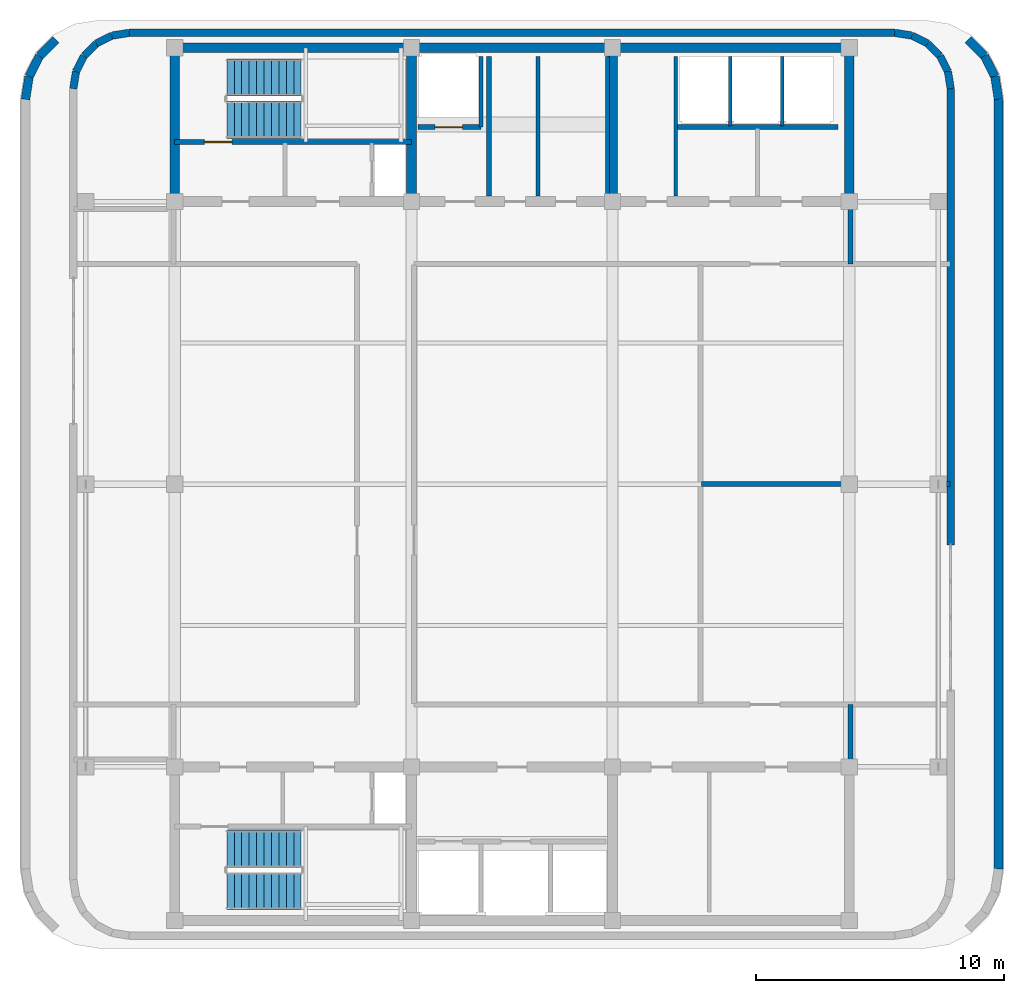
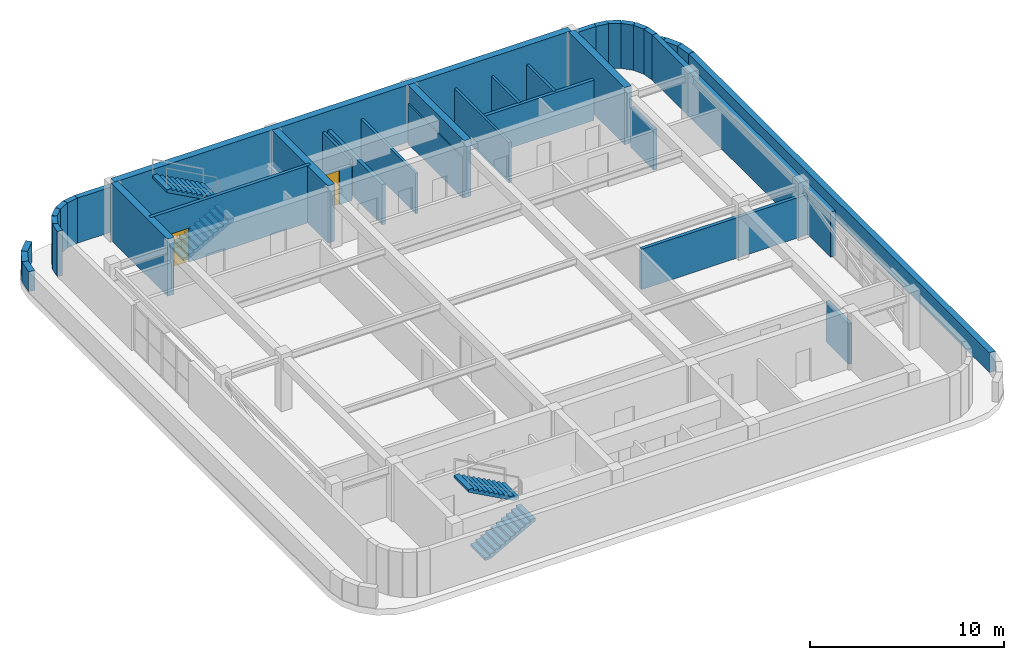
# One storey, part 6 of 9: 37 walls, 4 stair flights, 2 doors, 2 openings, 2 elements without a shape of their own.
"""IFC4 building model written with IfcOpenShell, lengths in metres."""

from ifc_helpers import new_model, si_unit, direction, frame, frame_2d, origin, place, context, subcontext, project, spatial, polyline, rectangle, outline, extrude, material, layer, layer_set, type_object, element, fill, aggregate, save


model = new_model("IFC4")

# Units and contexts
model_context = context("Model", 3, precision=1e-05, world=origin(), true_north=direction((0.0, 1.0)))
body_context = subcontext(model_context, "Body", "Model", "MODEL_VIEW")
ifc_project = project(units=[si_unit("LENGTHUNIT", "METRE"), si_unit("AREAUNIT", "SQUARE_METRE"), si_unit("VOLUMEUNIT", "CUBIC_METRE"), si_unit("PLANEANGLEUNIT", "RADIAN"), si_unit("MASSUNIT", "GRAM", prefix="KILO")], contexts=[model_context])

# Site, building, storey
site_placement = place(None, origin())
site = spatial("IfcSite", under=ifc_project, at=site_placement, CompositionType="ELEMENT")
building_placement = place(site_placement, origin())
building = spatial("IfcBuilding", under=site, at=building_placement, Name="Svetorya Sky Lyceum", CompositionType="ELEMENT")
storey_placement = place(building_placement, frame((0.0, 0.0, 302.0)))
storey = spatial("IfcBuildingStorey", under=building, at=storey_placement, Name="C01", CompositionType="ELEMENT", Elevation=302.0)

# Walls
ifc_material_1 = material(Name="Concrete C40/50", Category="concrete")
ifc_layer_1 = layer(ifc_material_1, 0.39990234375)
ifc_layer_set_1 = layer_set([ifc_layer_1], Name="Concrete C40/50")
wall_type_1 = type_object("IfcWallType", Name="WL-CORE-400", PredefinedType="SHEAR", material=ifc_layer_set_1)
wall_1_placement = place(storey_placement, frame((25.60009765625, 45.800048828125, 0.0), z_axis=(0.0, 0.0, 1.0), x_axis=(1.0, 0.0, 0.0)))
element("IfcWall", 1, at=wall_1_placement, inside=storey, type_object=wall_type_1, Name="C01 NC Outer Core Shear Wall", PredefinedType="SHEAR", context=body_context, shape_type="SweptSolid", body=[
    extrude(rectangle(XDim=27.199951171875, YDim=0.39990234375, at=frame_2d((13.60009765625, 0.0))), origin(), (0.0, 0.0, 1.0), 3.60009765625),
])
for number, where, z_axis, x_axis, name in (
    (2, (25.60009765625, 39.800048828125, 0.0), (0.0, 0.0, 1.0), (0.0, 1.0, 0.0), "C01 NC West Core Shear Wall"),
    (3, (52.800048828125, 39.800048828125, 0.0), (0.0, 0.0, 1.0), (0.0, 1.0, 0.0), "C01 NC East Core Shear Wall"),
    (4, (35.14990234375, 39.800048828125, 0.0), (0.0, 0.0, 1.0), (0.0, 1.0, 0.0), "C01 NC Internal Shear Web WEB1"),
    (5, (43.25, 39.800048828125, 0.0), (0.0, 0.0, 1.0), (0.0, 1.0, 0.0), "C01 NC Internal Shear Web WEB2"),
):
    element("IfcWall", number, at=place(storey_placement, frame(where, z_axis=z_axis, x_axis=x_axis)), inside=storey, type_object=wall_type_1, Name=name, PredefinedType="SHEAR", context=body_context, shape_type="SweptSolid", body=[
        extrude(rectangle(XDim=5.800048828125, YDim=0.39990234375, at=frame_2d((2.89990234375, 0.0))), origin(), (0.0, 0.0, 1.0), 3.60009765625),
    ])
ifc_material_2 = material(Name="Putilovo limestone rainscreen on autoclaved cellular masonry", Category="masonry")
ifc_layer_2 = layer(ifc_material_2, 0.300048828125)
ifc_layer_set_2 = layer_set([ifc_layer_2], Name="Putilovo limestone rainscreen on autoclaved cellular masonry")
wall_type_2 = type_object("IfcWallType", Name="WL-EXT-300", PredefinedType="SOLIDWALL", material=ifc_layer_set_2)
wall_2_placement = place(storey_placement, frame((56.889892578125, 25.75, 0.0), z_axis=(0.0, 0.0, 1.0), x_axis=(0.0, 1.0, 0.0)))
element("IfcWall", 6, at=wall_2_placement, inside=storey, type_object=wall_type_2, Name="C01 Limestone Exterior Wall 12B", PredefinedType="SOLIDWALL", context=body_context, shape_type="SweptSolid", body=[
    extrude(rectangle(XDim=18.39990234375, YDim=0.300048828125, at=frame_2d((9.199951171875, 0.0))), origin(), (0.0, 0.0, 1.0), 2.840087890625),
])
for number, where, z_axis, x_axis, name in (
    (7, (56.889892578125, 44.14990234375, 0.0), (0.0, 0.0, 1.0), (-0.156407776626, 0.987692567255, 0.0), "C01 Limestone Exterior Wall 13M"),
    (8, (56.77978515625, 44.84521484375, 0.0), (0.0, 0.0, 1.0), (-0.453998517824, 0.891002438725, 0.0), "C01 Limestone Exterior Wall 14M"),
):
    element("IfcWall", number, at=place(storey_placement, frame(where, z_axis=z_axis, x_axis=x_axis)), inside=storey, type_object=wall_type_2, Name=name, PredefinedType="SOLIDWALL", context=body_context, shape_type="SweptSolid", body=[
        extrude(rectangle(XDim=0.703857421875, YDim=0.300048828125, at=frame_2d((0.35205078125, 0.0))), origin(), (0.0, 0.0, 1.0), 2.840087890625),
    ])
wall_3_placement = place(storey_placement, frame((56.460205078125, 45.472412109375, 0.0), z_axis=(0.0, 0.0, 1.0), x_axis=(-0.707106781187, 0.707106781187, 0.0)))
element("IfcWall", 9, at=wall_3_placement, inside=storey, type_object=wall_type_2, Name="C01 Limestone Exterior Wall 15M", PredefinedType="SOLIDWALL", context=body_context, shape_type="SweptSolid", body=[
    extrude(rectangle(XDim=0.7041015625, YDim=0.300048828125, at=frame_2d((0.35205078125, 0.0))), origin(), (0.0, 0.0, 1.0), 2.840087890625),
])
for number, where, z_axis, x_axis, name in (
    (10, (55.96240234375, 45.97021484375, 0.0), (0.0, 0.0, 1.0), (-0.891002438725, 0.453998517824, 0.0), "C01 Limestone Exterior Wall 16M"),
    (11, (55.335205078125, 46.289794921875, 0.0), (0.0, 0.0, 1.0), (-0.987692567255, 0.156407776626, 0.0), "C01 Limestone Exterior Wall 17M"),
):
    element("IfcWall", number, at=place(storey_placement, frame(where, z_axis=z_axis, x_axis=x_axis)), inside=storey, type_object=wall_type_2, Name=name, PredefinedType="SOLIDWALL", context=body_context, shape_type="SweptSolid", body=[
        extrude(rectangle(XDim=0.703857421875, YDim=0.300048828125, at=frame_2d((0.35205078125, 0.0))), origin(), (0.0, 0.0, 1.0), 2.840087890625),
    ])
wall_4_placement = place(storey_placement, frame((54.639892578125, 46.39990234375, 0.0), z_axis=(0.0, 0.0, 1.0), x_axis=(-1.0, 0.0, 0.0)))
element("IfcWall", 12, at=wall_4_placement, inside=storey, type_object=wall_type_2, Name="C01 Limestone Exterior Wall 18M", PredefinedType="SOLIDWALL", context=body_context, shape_type="SweptSolid", body=[
    extrude(rectangle(XDim=30.8798828125, YDim=0.300048828125, at=frame_2d((15.43994140625, 0.0))), origin(), (0.0, 0.0, 1.0), 2.840087890625),
])
for number, where, z_axis, x_axis, name in (
    (13, (23.760009765625, 46.39990234375, 0.0), (0.0, 0.0, 1.0), (-0.987692567255, -0.156407776626, 0.0), "C01 Limestone Exterior Wall 19M"),
    (14, (23.064697265625, 46.289794921875, 0.0), (0.0, 0.0, 1.0), (-0.891002438725, -0.453998517824, 0.0), "C01 Limestone Exterior Wall 20M"),
):
    element("IfcWall", number, at=place(storey_placement, frame(where, z_axis=z_axis, x_axis=x_axis)), inside=storey, type_object=wall_type_2, Name=name, PredefinedType="SOLIDWALL", context=body_context, shape_type="SweptSolid", body=[
        extrude(rectangle(XDim=0.703857421875, YDim=0.300048828125, at=frame_2d((0.35205078125, 0.0))), origin(), (0.0, 0.0, 1.0), 2.840087890625),
    ])
wall_5_placement = place(storey_placement, frame((22.4375, 45.97021484375, 0.0), z_axis=(0.0, 0.0, 1.0), x_axis=(-0.707106781187, -0.707106781187, 0.0)))
element("IfcWall", 15, at=wall_5_placement, inside=storey, type_object=wall_type_2, Name="C01 Limestone Exterior Wall 21M", PredefinedType="SOLIDWALL", context=body_context, shape_type="SweptSolid", body=[
    extrude(rectangle(XDim=0.7041015625, YDim=0.300048828125, at=frame_2d((0.35205078125, 0.0))), origin(), (0.0, 0.0, 1.0), 2.840087890625),
])
for number, where, z_axis, x_axis, name in (
    (16, (21.939697265625, 45.472412109375, 0.0), (0.0, 0.0, 1.0), (-0.453998517824, -0.891002438725, 0.0), "C01 Limestone Exterior Wall 22M"),
    (17, (21.6201171875, 44.84521484375, 0.0), (0.0, 0.0, 1.0), (-0.156407776626, -0.987692567255, 0.0), "C01 Limestone Exterior Wall 23M"),
):
    element("IfcWall", number, at=place(storey_placement, frame(where, z_axis=z_axis, x_axis=x_axis)), inside=storey, type_object=wall_type_2, Name=name, PredefinedType="SOLIDWALL", context=body_context, shape_type="SweptSolid", body=[
        extrude(rectangle(XDim=0.703857421875, YDim=0.300048828125, at=frame_2d((0.35205078125, 0.0))), origin(), (0.0, 0.0, 1.0), 2.840087890625),
    ])
ifc_layer_3 = layer(ifc_material_1, 0.35009765625)
ifc_layer_set_3 = layer_set([ifc_layer_3], Name="Concrete C40/50")
wall_type_3 = type_object("IfcWallType", Name="WL-KERB-350", PredefinedType="PARAPET", material=ifc_layer_set_3)
wall_6_placement = place(storey_placement, frame((58.820068359375, 12.679931640625, 0.0), z_axis=(0.0, 0.0, 1.0), x_axis=(0.0, 1.0, 0.0)))
element("IfcWall", 18, at=wall_6_placement, inside=storey, type_object=wall_type_3, Name="C01 Setback Parapet Wall 12", PredefinedType="PARAPET", context=body_context, shape_type="SweptSolid", body=[
    extrude(rectangle(XDim=31.0400390625, YDim=0.35009765625, at=frame_2d((15.52001953125, 0.0))), origin(), (0.0, 0.0, 1.0), 1.25),
])
for number, where, z_axis, x_axis, name in (
    (19, (58.820068359375, 43.719970703125, 0.0), (0.0, 0.0, 1.0), (-0.156581054338, 0.98766511198, 0.0), "C01 Setback Parapet Wall 13"),
    (20, (58.674072265625, 44.640869140625, 0.0), (0.0, 0.0, 1.0), (-0.453800250771, 0.891103435298, 0.0), "C01 Setback Parapet Wall 14"),
    (21, (58.2509765625, 45.4716796875, 0.0), (0.0, 0.0, 1.0), (-0.70723769052, 0.706975847613, 0.0), "C01 Setback Parapet Wall 15"),
):
    element("IfcWall", number, at=place(storey_placement, frame(where, z_axis=z_axis, x_axis=x_axis)), inside=storey, type_object=wall_type_3, Name=name, PredefinedType="PARAPET", context=body_context, shape_type="SweptSolid", body=[
        extrude(rectangle(XDim=0.932373046875, YDim=0.35009765625, at=frame_2d((0.46630859375, 0.0))), origin(), (0.0, 0.0, 1.0), 1.25),
    ])
wall_7_placement = place(storey_placement, frame((20.808349609375, 46.130859375, 0.0), z_axis=(0.0, 0.0, 1.0), x_axis=(-0.707106781187, -0.707106781187, 0.0)))
element("IfcWall", 22, at=wall_7_placement, inside=storey, type_object=wall_type_3, Name="C01 Setback Parapet Wall 21", PredefinedType="PARAPET", context=body_context, shape_type="SweptSolid", body=[
    extrude(rectangle(XDim=0.93212890625, YDim=0.35009765625, at=frame_2d((0.466064453125, 0.0))), origin(), (0.0, 0.0, 1.0), 1.25),
])
for number, where, z_axis, x_axis, name in (
    (23, (20.149169921875, 45.4716796875, 0.0), (0.0, 0.0, 1.0), (-0.454008146222, -0.890997532637, 0.0), "C01 Setback Parapet Wall 22"),
    (24, (19.725830078125, 44.640869140625, 0.0), (0.0, 0.0, 1.0), (-0.156325617135, -0.987705574262, 0.0), "C01 Setback Parapet Wall 23"),
):
    element("IfcWall", number, at=place(storey_placement, frame(where, z_axis=z_axis, x_axis=x_axis)), inside=storey, type_object=wall_type_3, Name=name, PredefinedType="PARAPET", context=body_context, shape_type="SweptSolid", body=[
        extrude(rectangle(XDim=0.932373046875, YDim=0.35009765625, at=frame_2d((0.46630859375, 0.0))), origin(), (0.0, 0.0, 1.0), 1.25),
    ])
ifc_material_3 = material(Name="Autoclaved cellular masonry blockwork with acoustic render", Category="masonry")
ifc_layer_4 = layer(ifc_material_3, 0.14990234375)
ifc_layer_set_4 = layer_set([ifc_layer_4], Name="Autoclaved cellular masonry blockwork with acoustic render")
wall_type_4 = type_object("IfcWallType", Name="WL-PART-150", PredefinedType="PARTITIONING", material=ifc_layer_set_4)
wall_8_placement = place(storey_placement, frame((37.949951171875, 42.60009765625, 0.0), z_axis=(0.0, 0.0, 1.0), x_axis=(0.0, 1.0, 0.0)))
element("IfcWall", 25, at=wall_8_placement, inside=storey, type_object=wall_type_4, Name="C01 Interior Partition NC-FL1SIDE", PredefinedType="PARTITIONING", context=body_context, shape_type="SweptSolid", body=[
    extrude(rectangle(XDim=2.849853515625, YDim=0.14990234375, at=frame_2d((1.4248046875, 0.0))), origin(), (0.0, 0.0, 1.0), 2.5400390625),
])
for number, where, z_axis, x_axis, name in (
    (26, (43.050048828125, 39.820068359375, 0.0), (0.0, 0.0, 1.0), (0.0, 1.0, 0.0), "C01 Interior Partition NC-FPM-END"),
    (27, (40.25, 39.820068359375, 0.0), (0.0, 0.0, 1.0), (0.0, 1.0, 0.0), "C01 Interior Partition NC-FPM-V2"),
    (28, (45.800048828125, 39.820068359375, 0.0), (0.0, 0.0, 1.0), (0.0, 1.0, 0.0), "C01 Interior Partition NC-PM3-FULL"),
):
    element("IfcWall", number, at=place(storey_placement, frame(where, z_axis=z_axis, x_axis=x_axis)), inside=storey, type_object=wall_type_4, Name=name, PredefinedType="PARTITIONING", context=body_context, shape_type="SweptSolid", body=[
        extrude(rectangle(XDim=5.6298828125, YDim=0.14990234375, at=frame_2d((2.81494140625, 0.0))), origin(), (0.0, 0.0, 1.0), 2.5400390625),
    ])
for number, where, z_axis, x_axis, name in (
    (29, (48.0, 42.64990234375, 0.0), (0.0, 0.0, 1.0), (0.0, 1.0, 0.0), "C01 Interior Partition NC-PH-D1"),
    (30, (50.10009765625, 42.64990234375, 0.0), (0.0, 0.0, 1.0), (0.0, 1.0, 0.0), "C01 Interior Partition NC-PH-D2"),
):
    element("IfcWall", number, at=place(storey_placement, frame(where, z_axis=z_axis, x_axis=x_axis)), inside=storey, type_object=wall_type_4, Name=name, PredefinedType="PARTITIONING", context=body_context, shape_type="SweptSolid", body=[
        extrude(rectangle(XDim=2.800048828125, YDim=0.14990234375, at=frame_2d((1.39990234375, 0.0))), origin(), (0.0, 0.0, 1.0), 2.5400390625),
    ])

# Wall, opening, door
ifc_material_4 = material(Name="Autoclaved cellular masonry blockwork with gypsum plaster", Category="masonry")
ifc_layer_5 = layer(ifc_material_4, 0.199951171875)
ifc_layer_set_5 = layer_set([ifc_layer_5], Name="Autoclaved cellular masonry blockwork with gypsum plaster")
wall_type_5 = type_object("IfcWallType", Name="WL-PART-200", PredefinedType="PARTITIONING", material=ifc_layer_set_5)
wall_9_placement = place(storey_placement, frame((37.949951171875, 42.60009765625, 0.0), z_axis=(0.0, 0.0, 1.0), x_axis=(-1.0, 0.0, 0.0)))
wall_9 = element("IfcWall", 31, at=wall_9_placement, inside=storey, type_object=wall_type_5, Name="C01 Interior Partition NC-FL1W", PredefinedType="PARTITIONING", context=body_context, shape_type="SweptSolid", body=[
    extrude(rectangle(XDim=2.550048828125, YDim=0.199951171875, at=frame_2d((1.27490234375, 0.0))), origin(), (0.0, 0.0, 1.0), 2.199951171875),
])
opening_1_placement = place(wall_9_placement, frame((0.75, 0.0, 0.0)))
opening_1 = element("IfcOpeningElement", 32, at=opening_1_placement, cuts=wall_9, Name="Opening LD-FL", PredefinedType="OPENING", context=body_context, shape_type="SweptSolid", body=[
    extrude(rectangle(XDim=1.10009765625, YDim=2.14990234375, at=frame_2d((0.550048828125, 1.074951171875))), frame((0.0, 0.10986328125, 0.0), z_axis=(0.0, -1.0, 0.0), x_axis=(1.0, 0.0, 0.0)), (0.0, 0.0, 1.0), 0.219970703125),
])
ifc_material_5 = material(Name="Fire-rated stainless AISI 304 firefighting lift landing door")
door_type_1 = type_object("IfcDoorType", Name="DR-LIFT-1100", OperationType="SLIDING_TO_LEFT", PredefinedType="DOOR", material=ifc_material_5)
door_1_placement = place(opening_1_placement, origin())
door_1 = element("IfcDoor", 33, at=door_1_placement, inside=storey, type_object=door_type_1, Name="C01 Firefighting Lift FL1 Landing Door", OperationType="SLIDING_TO_LEFT", OverallHeight=2.14990234375, OverallWidth=1.10009765625, PredefinedType="DOOR", context=body_context, shape_type="SweptSolid", body=[
    extrude(rectangle(XDim=1.10009765625, YDim=2.14990234375, at=frame_2d((0.550048828125, 1.074951171875))), frame((0.0, 0.02490234375, 0.0), z_axis=(0.0, -1.0, 0.0), x_axis=(1.0, 0.0, 0.0)), (0.0, 0.0, 1.0), 0.050048828125),
])
fill(opening_1, door_1)

# Walls
wall_10_placement = place(storey_placement, frame((38.280029296875, 39.820068359375, 0.0), z_axis=(0.0, 0.0, 1.0), x_axis=(0.0, 1.0, 0.0)))
element("IfcWall", 34, at=wall_10_placement, inside=storey, type_object=wall_type_5, Name="C01 Interior Partition NC-FFLDIV", PredefinedType="PARTITIONING", context=body_context, shape_type="SweptSolid", body=[
    extrude(rectangle(XDim=5.6298828125, YDim=0.199951171875, at=frame_2d((2.81494140625, 0.0))), origin(), (0.0, 0.0, 1.0), 2.5400390625),
])
wall_11_placement = place(storey_placement, frame((52.35009765625, 42.60009765625, 0.0), z_axis=(0.0, 0.0, 1.0), x_axis=(-1.0, 0.0, 0.0)))
element("IfcWall", 35, at=wall_11_placement, inside=storey, type_object=wall_type_5, Name="C01 Interior Partition NC-PHEW", PredefinedType="PARTITIONING", context=body_context, shape_type="SweptSolid", body=[
    extrude(rectangle(XDim=6.5, YDim=0.199951171875, at=frame_2d((3.25, 0.0))), origin(), (0.0, 0.0, 1.0), 2.5400390625),
])
wall_12_placement = place(storey_placement, frame((46.85009765625, 28.199951171875, 0.0), z_axis=(0.0, 0.0, 1.0), x_axis=(1.0, 0.0, 0.0)))
element("IfcWall", 36, at=wall_12_placement, inside=storey, type_object=wall_type_5, Name="C01 Interior Partition PL-H3", PredefinedType="PARTITIONING", context=body_context, shape_type="SweptSolid", body=[
    extrude(rectangle(XDim=10.02001953125, YDim=0.199951171875, at=frame_2d((5.010009765625, 0.0))), origin(), (0.0, 0.0, 1.0), 2.5400390625),
])
wall_13_placement = place(storey_placement, frame((52.85009765625, 16.949951171875, 0.0), z_axis=(0.0, 0.0, 1.0), x_axis=(0.0, 1.0, 0.0)))
element("IfcWall", 37, at=wall_13_placement, inside=storey, type_object=wall_type_5, Name="C01 Interior Partition PL-SE-END", PredefinedType="PARTITIONING", context=body_context, shape_type="SweptSolid", body=[
    extrude(rectangle(XDim=2.3701171875, YDim=0.199951171875, at=frame_2d((1.18505859375, 0.0))), origin(), (0.0, 0.0, 1.0), 2.5400390625),
])
wall_14_placement = place(storey_placement, frame((52.85009765625, 37.080078125, 0.0), z_axis=(0.0, 0.0, 1.0), x_axis=(0.0, 1.0, 0.0)))
element("IfcWall", 38, at=wall_14_placement, inside=storey, type_object=wall_type_5, Name="C01 Interior Partition PL-NE-END", PredefinedType="PARTITIONING", context=body_context, shape_type="SweptSolid", body=[
    extrude(rectangle(XDim=2.369873046875, YDim=0.199951171875, at=frame_2d((1.18505859375, 0.0))), origin(), (0.0, 0.0, 1.0), 2.5400390625),
])

# Wall, opening, door
ifc_material_6 = material(Name="Concrete C50/60", Category="concrete")
ifc_layer_6 = layer(ifc_material_6, 0.199951171875)
ifc_layer_set_6 = layer_set([ifc_layer_6], Name="Concrete C50/60")
wall_type_6 = type_object("IfcWallType", Name="WL-SHW-200", PredefinedType="SHEAR", material=ifc_layer_set_6)
wall_15_placement = place(storey_placement, frame((35.14990234375, 42.0, 0.0), z_axis=(0.0, 0.0, 1.0), x_axis=(-1.0, 0.0, 0.0)))
wall_15 = element("IfcWall", 39, at=wall_15_placement, inside=storey, type_object=wall_type_6, Name="C01 Structural Stair Shaft Wall NC-STW", PredefinedType="SHEAR", context=body_context, shape_type="SweptSolid", body=[
    extrude(rectangle(XDim=9.5498046875, YDim=0.199951171875, at=frame_2d((4.77490234375, 0.0))), origin(), (0.0, 0.0, 1.0), 3.60009765625),
])
opening_2_placement = place(wall_15_placement, frame((7.25, 0.0, 0.0)))
opening_2 = element("IfcOpeningElement", 40, at=opening_2_placement, cuts=wall_15, Name="Opening D-ST1", PredefinedType="OPENING", context=body_context, shape_type="SweptSolid", body=[
    extrude(rectangle(XDim=1.10009765625, YDim=2.14990234375, at=frame_2d((0.550048828125, 1.074951171875))), frame((0.0, 0.10986328125, 0.0), z_axis=(0.0, -1.0, 0.0), x_axis=(1.0, 0.0, 0.0)), (0.0, 0.0, 1.0), 0.219970703125),
])
ifc_material_7 = material(Name="Powder-coated insulated galvanized stair fire door")
door_type_2 = type_object("IfcDoorType", Name="DR-FIRE-1100", OperationType="SINGLE_SWING_LEFT", PredefinedType="DOOR", material=ifc_material_7)
door_2_placement = place(opening_2_placement, origin())
door_2 = element("IfcDoor", 41, at=door_2_placement, inside=storey, type_object=door_type_2, Name="C01 Stair ST-N Vestibule Fire Door", OperationType="SINGLE_SWING_RIGHT", OverallHeight=2.14990234375, OverallWidth=1.10009765625, PredefinedType="DOOR", context=body_context, shape_type="SweptSolid", body=[
    extrude(rectangle(XDim=1.10009765625, YDim=2.14990234375, at=frame_2d((0.550048828125, 1.074951171875))), frame((0.0, 0.02490234375, 0.0), z_axis=(0.0, -1.0, 0.0), x_axis=(1.0, 0.0, 0.0)), (0.0, 0.0, 1.0), 0.050048828125),
])
fill(opening_2, door_2)

# Stair, stair flights
stair_type_1 = type_object("IfcStairType", Name="STR-ST-N", PredefinedType="HALF_TURN_STAIR", material=ifc_material_1)
stair_1_placement = place(storey_placement, origin())
stair_1 = element("IfcStair", 42, at=stair_1_placement, inside=storey, type_object=stair_type_1, Name="C01 North Core Smoke-Free Exit Stair N3", PredefinedType="HALF_TURN_STAIR")
stair_flight_type_1 = type_object("IfcStairFlightType", Name="SFL-ST-N", PredefinedType="STRAIGHT", material=ifc_material_1)
stair_flight_1_placement = place(storey_placement, frame((27.699951171875, 42.89990234375, 0.0), z_axis=(0.0, 0.0, 1.0), x_axis=(1.0, 0.0, 0.0)))
stair_flight_1 = element("IfcStairFlight", 43, at=stair_flight_1_placement, type_object=stair_flight_type_1, Name="ST-N flight 1", NumberOfRisers=11, NumberOfTreads=10, PredefinedType="STRAIGHT", RiserHeight=0.163636364, TreadLength=0.3, context=body_context, shape_type="SweptSolid", body=[
    extrude(outline(polyline([(0.0, 0.0), (0.0, 0.16357421875), (0.300048828125, 0.16357421875), (0.300048828125, 0.327392578125), (0.60009765625, 0.327392578125), (0.60009765625, 0.490966796875), (0.89990234375, 0.490966796875), (0.89990234375, 0.654541015625), (1.199951171875, 0.654541015625), (1.199951171875, 0.818115234375), (1.5, 0.818115234375), (1.5, 0.98193359375), (1.800048828125, 0.98193359375), (1.800048828125, 1.1455078125), (2.10009765625, 1.1455078125), (2.10009765625, 1.30908203125), (2.39990234375, 1.30908203125), (2.39990234375, 1.47265625), (2.699951171875, 1.47265625), (2.699951171875, 1.636474609375), (3.0, 1.636474609375), (3.0, 1.800048828125), (3.0, 1.465576171875), (0.31298828125, 0.0), (0.0, 0.0)])), frame((0.0, 0.75, 0.0), z_axis=(0.0, -1.0, 0.0), x_axis=(1.0, 0.0, 0.0)), (0.0, 0.0, 1.0), 1.5),
])
stair_flight_2_placement = place(storey_placement, frame((30.699951171875, 44.60009765625, 1.800048828125), z_axis=(0.0, 0.0, 1.0), x_axis=(-1.0, 0.0, 0.0)))
stair_flight_2 = element("IfcStairFlight", 44, at=stair_flight_2_placement, type_object=stair_flight_type_1, Name="ST-N flight 2", NumberOfRisers=11, NumberOfTreads=10, PredefinedType="STRAIGHT", RiserHeight=0.163636364, TreadLength=0.3, context=body_context, shape_type="SweptSolid", body=[
    extrude(outline(polyline([(0.0, 0.0), (0.0, 0.16357421875), (0.300048828125, 0.16357421875), (0.300048828125, 0.327392578125), (0.60009765625, 0.327392578125), (0.60009765625, 0.490966796875), (0.89990234375, 0.490966796875), (0.89990234375, 0.654541015625), (1.199951171875, 0.654541015625), (1.199951171875, 0.818115234375), (1.5, 0.818115234375), (1.5, 0.98193359375), (1.800048828125, 0.98193359375), (1.800048828125, 1.1455078125), (2.10009765625, 1.1455078125), (2.10009765625, 1.30908203125), (2.39990234375, 1.30908203125), (2.39990234375, 1.47265625), (2.699951171875, 1.47265625), (2.699951171875, 1.636474609375), (3.0, 1.636474609375), (3.0, 1.800048828125), (3.0, 1.465576171875), (0.31298828125, 0.0), (0.0, 0.0)])), frame((0.0, 0.75, 0.0), z_axis=(0.0, -1.0, 0.0), x_axis=(1.0, 0.0, 0.0)), (0.0, 0.0, 1.0), 1.5),
])
aggregate(stair_1, [stair_flight_1, stair_flight_2])

stair_type_2 = type_object("IfcStairType", Name="STR-ST-S", PredefinedType="HALF_TURN_STAIR", material=ifc_material_1)
stair_2_placement = place(storey_placement, origin())
stair_2 = element("IfcStair", 45, at=stair_2_placement, inside=storey, type_object=stair_type_2, Name="C01 South Core Smoke-Free Exit Stair N2", PredefinedType="HALF_TURN_STAIR")
stair_flight_type_2 = type_object("IfcStairFlightType", Name="SFL-ST-S", PredefinedType="STRAIGHT", material=ifc_material_1)
stair_flight_3_placement = place(storey_placement, frame((27.699951171875, 11.800048828125, 0.0), z_axis=(0.0, 0.0, 1.0), x_axis=(1.0, 0.0, 0.0)))
stair_flight_3 = element("IfcStairFlight", 46, at=stair_flight_3_placement, type_object=stair_flight_type_2, Name="ST-S flight 1", NumberOfRisers=11, NumberOfTreads=10, PredefinedType="STRAIGHT", RiserHeight=0.163636364, TreadLength=0.3, context=body_context, shape_type="SweptSolid", body=[
    extrude(outline(polyline([(0.0, 0.0), (0.0, 0.16357421875), (0.300048828125, 0.16357421875), (0.300048828125, 0.327392578125), (0.60009765625, 0.327392578125), (0.60009765625, 0.490966796875), (0.89990234375, 0.490966796875), (0.89990234375, 0.654541015625), (1.199951171875, 0.654541015625), (1.199951171875, 0.818115234375), (1.5, 0.818115234375), (1.5, 0.98193359375), (1.800048828125, 0.98193359375), (1.800048828125, 1.1455078125), (2.10009765625, 1.1455078125), (2.10009765625, 1.30908203125), (2.39990234375, 1.30908203125), (2.39990234375, 1.47265625), (2.699951171875, 1.47265625), (2.699951171875, 1.636474609375), (3.0, 1.636474609375), (3.0, 1.800048828125), (3.0, 1.465576171875), (0.31298828125, 0.0), (0.0, 0.0)])), frame((0.0, 0.75, 0.0), z_axis=(0.0, -1.0, 0.0), x_axis=(1.0, 0.0, 0.0)), (0.0, 0.0, 1.0), 1.5),
])
stair_flight_4_placement = place(storey_placement, frame((30.699951171875, 13.5, 1.800048828125), z_axis=(0.0, 0.0, 1.0), x_axis=(-1.0, 0.0, 0.0)))
stair_flight_4 = element("IfcStairFlight", 47, at=stair_flight_4_placement, type_object=stair_flight_type_2, Name="ST-S flight 2", NumberOfRisers=11, NumberOfTreads=10, PredefinedType="STRAIGHT", RiserHeight=0.163636364, TreadLength=0.3, context=body_context, shape_type="SweptSolid", body=[
    extrude(outline(polyline([(0.0, 0.0), (0.0, 0.16357421875), (0.300048828125, 0.16357421875), (0.300048828125, 0.327392578125), (0.60009765625, 0.327392578125), (0.60009765625, 0.490966796875), (0.89990234375, 0.490966796875), (0.89990234375, 0.654541015625), (1.199951171875, 0.654541015625), (1.199951171875, 0.818115234375), (1.5, 0.818115234375), (1.5, 0.98193359375), (1.800048828125, 0.98193359375), (1.800048828125, 1.1455078125), (2.10009765625, 1.1455078125), (2.10009765625, 1.30908203125), (2.39990234375, 1.30908203125), (2.39990234375, 1.47265625), (2.699951171875, 1.47265625), (2.699951171875, 1.636474609375), (3.0, 1.636474609375), (3.0, 1.800048828125), (3.0, 1.465576171875), (0.31298828125, 0.0), (0.0, 0.0)])), frame((0.0, 0.75, 0.0), z_axis=(0.0, -1.0, 0.0), x_axis=(1.0, 0.0, 0.0)), (0.0, 0.0, 1.0), 1.5),
])
aggregate(stair_2, [stair_flight_3, stair_flight_4])

save(model, "model.ifc")
